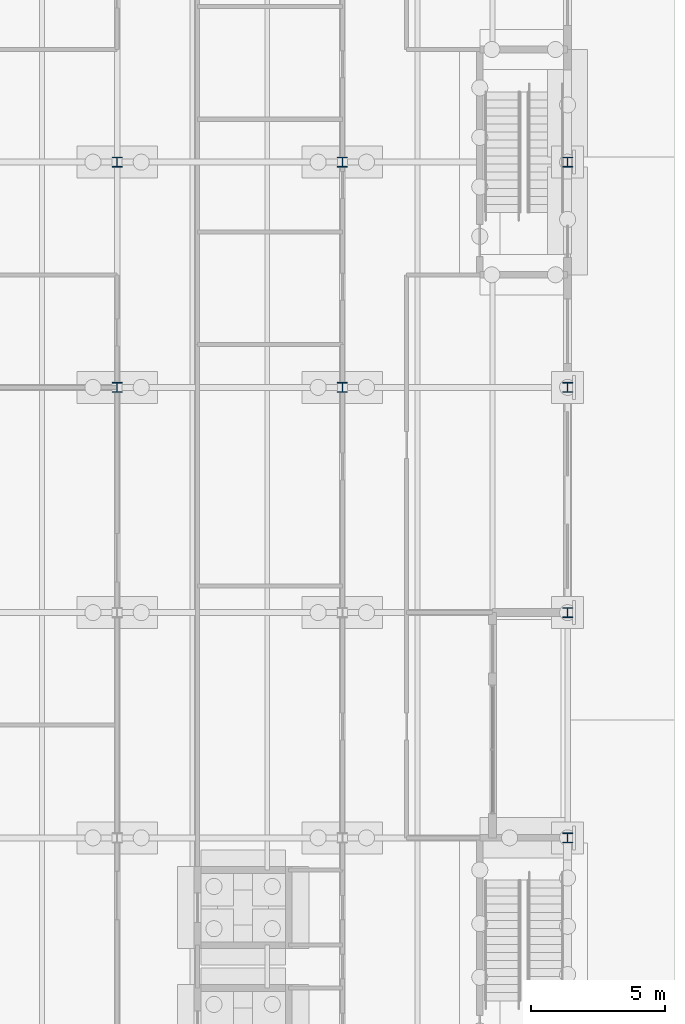
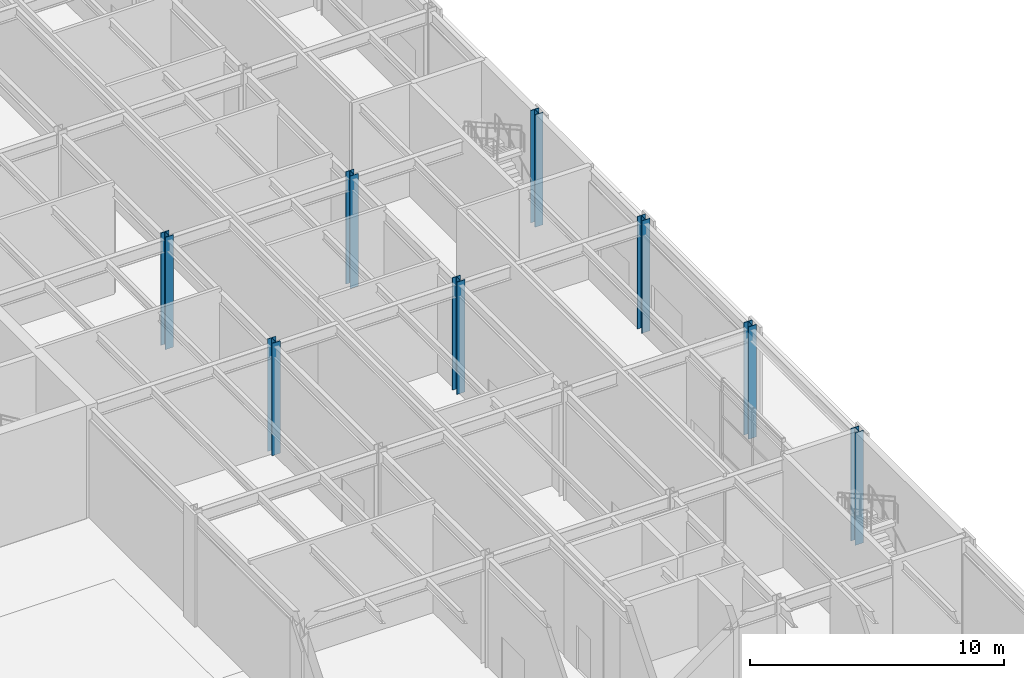
# One storey, part 22 of 127: 8 columns.
"""IFC4 building model written with IfcOpenShell, lengths in metres."""

from ifc_helpers import new_model, si_unit, direction, frame, origin, origin_2d, place, context, subcontext, project, spatial, i_section, extrude, material, material_profile, profile_set, type_object, element, save


model = new_model("IFC4")

# Units and contexts
model_context = context("Model", 3, precision=1e-05, world=origin(), true_north=direction((0.0, 1.0)))
body_context = subcontext(model_context, "Body", "Model", "MODEL_VIEW")
ifc_project = project(units=[si_unit("LENGTHUNIT", "METRE"), si_unit("AREAUNIT", "SQUARE_METRE"), si_unit("VOLUMEUNIT", "CUBIC_METRE"), si_unit("PLANEANGLEUNIT", "RADIAN"), si_unit("MASSUNIT", "GRAM", prefix="KILO")], contexts=[model_context])

# Site, building, storey
site_placement = place(None, origin())
site = spatial("IfcSite", under=ifc_project, at=site_placement, CompositionType="ELEMENT")
building_placement = place(site_placement, origin())
building = spatial("IfcBuilding", under=site, at=building_placement, Name="Ljudholm Concert House", CompositionType="ELEMENT")
storey_placement = place(building_placement, origin())
storey = spatial("IfcBuildingStorey", under=building, at=storey_placement, Name="L00", CompositionType="ELEMENT", Elevation=0.0)

# Columns
ifc_material = material(Name="Steel ASTM A992", Category="steel")
ifc_material_profile = material_profile(ifc_material, i_section(OverallWidth=0.373291015625, OverallDepth=0.373291015625, WebThickness=0.016357421875, FlangeThickness=0.026123046875, FilletRadius=0.01513671875, at=origin_2d()), Name="W14X132")
ifc_profile_set = profile_set([ifc_material_profile], Name="Steel ASTM A992")
column_type = type_object("IfcColumnType", Name="STEEL COLUMN W14X132", PredefinedType="COLUMN", material=ifc_profile_set)
for number, where, z_axis, x_axis, name in (
    (1, (104.800048828125, 54.39990234375, 0.0), (0.0, 0.0, 1.0), (1.0, 0.0, 0.0), "Column BOH-L00-col-104.8-54.4"),
    (2, (104.800048828125, 62.800048828125, 0.0), (0.0, 0.0, 1.0), (1.0, 0.0, 0.0), "Column BOH-L00-col-104.8-62.8"),
    (3, (113.199951171875, 54.39990234375, 0.0), (0.0, 0.0, 1.0), (1.0, 0.0, 0.0), "Column BOH-L00-col-113.2-54.4"),
    (4, (113.199951171875, 62.800048828125, 0.0), (0.0, 0.0, 1.0), (1.0, 0.0, 0.0), "Column BOH-L00-col-113.2-62.8"),
    (5, (121.60009765625, 37.60009765625, 0.0), (0.0, 0.0, 1.0), (1.0, 0.0, 0.0), "Column BOH-L00-col-121.6-37.6"),
    (6, (121.60009765625, 46.0, 0.0), (0.0, 0.0, 1.0), (1.0, 0.0, 0.0), "Column BOH-L00-col-121.6-46"),
    (7, (121.60009765625, 54.39990234375, 0.0), (0.0, 0.0, 1.0), (1.0, 0.0, 0.0), "Column BOH-L00-col-121.6-54.4"),
    (8, (121.60009765625, 62.800048828125, 0.0), (0.0, 0.0, 1.0), (1.0, 0.0, 0.0), "Column BOH-L00-col-121.6-62.8"),
):
    element("IfcColumn", number, at=place(storey_placement, frame(where, z_axis=z_axis, x_axis=x_axis)), inside=storey, type_object=column_type, Name=name, PredefinedType="COLUMN", context=body_context, shape_type="SweptSolid", body=[
        extrude(i_section(OverallWidth=0.373291015625, OverallDepth=0.373291015625, WebThickness=0.016357421875, FlangeThickness=0.026123046875, FilletRadius=0.01513671875, at=origin_2d()), origin(), (0.0, 0.0, 1.0), 5.39990234375),
    ])

save(model, "model.ifc")
